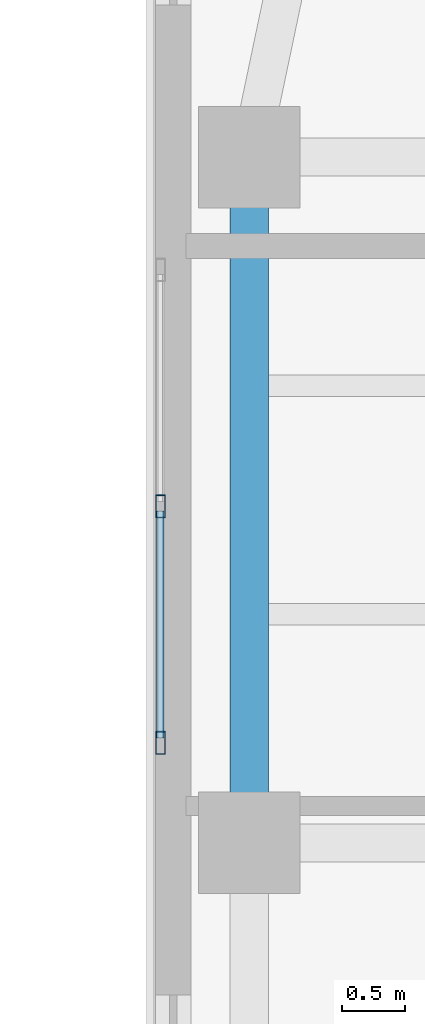
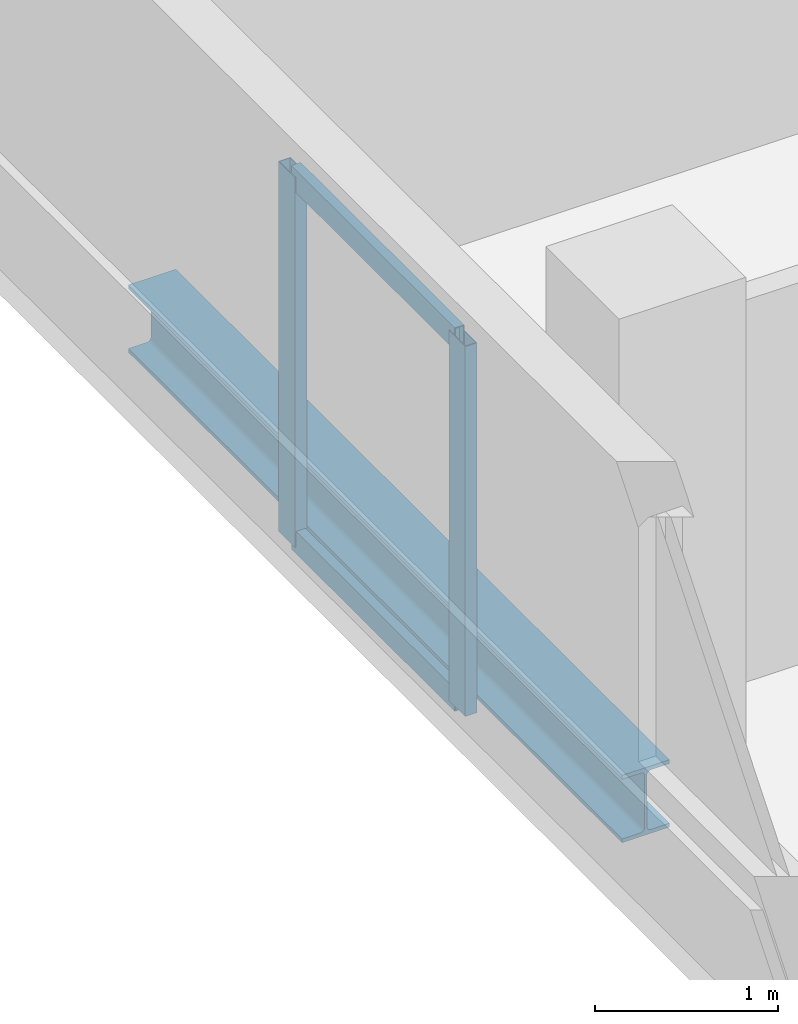
# One storey, part 4 of 11: 4 members, 1 beam, 1 element without a shape of its own.
"""IFC4 building model written with IfcOpenShell, lengths in metres."""

import ifcopenshell
import ifcopenshell.guid

model = None  # the IFC model being written
_history = None  # IfcOwnerHistory: only IFC2X3 demands one
_inside = {}  # id of a spatial element -> (the spatial element, [elements in it])
_under = {}  # id of a project, library or spatial element -> (it, [spatial elements below it])
_declared = {}  # id of a project -> (the project, [libraries it declares])
_typed = {}  # id of a type object -> (the type object, [elements of that type])
_made_of = {}  # id of a material, layer set ... -> (it, [elements and type objects made of it])


def new_model(schema):
    """Start an empty IFC model of exactly this schema.

    Asked for "IFC4X3", IfcOpenShell would pick the latest addendum, in which some entities
    have other attributes; the version numbers below select the first issue.
    IFC2X3 requires an IfcOwnerHistory on every rooted entity: one is made here for all.
    """
    global model, _history
    if schema == "IFC4X3":
        model = ifcopenshell.file(schema_version=(4, 3, 0, 0))
    else:
        model = ifcopenshell.file(schema=schema)
    _inside.clear()
    _under.clear()
    _declared.clear()
    _typed.clear()
    _made_of.clear()
    _history = None
    if model.schema == "IFC2X3":
        org = make("IfcOrganization", Name="unknown")
        user = make(
            "IfcPersonAndOrganization",
            ThePerson=make("IfcPerson", FamilyName="unknown"),
            TheOrganization=org,
        )
        app = make(
            "IfcApplication",
            ApplicationDeveloper=org,
            Version="unknown",
            ApplicationFullName="unknown",
            ApplicationIdentifier="unknown",
        )
        _history = make(
            "IfcOwnerHistory",
            OwningUser=user,
            OwningApplication=app,
            ChangeAction="ADDED",
            CreationDate=0,
        )
    return model


def make(cls, **values):
    """One entity of the class cls with the attributes given. An attribute that is None is left unset."""
    return model.create_entity(
        cls, **{name: value for name, value in values.items() if value is not None}
    )


def rooted(cls, **values):
    """An entity with a GlobalId (a new one), such as an element, a storey or a relation."""
    return make(cls, GlobalId=ifcopenshell.guid.new(), OwnerHistory=_history, **values)


def si_unit(unit_type, name, prefix=None):
    """IfcSIUnit, for example si_unit("LENGTHUNIT", "METRE", prefix="MILLI")."""
    return make("IfcSIUnit", UnitType=unit_type, Prefix=prefix, Name=name)


def assignment(units):
    """IfcUnitAssignment: the units of a project."""
    return None if units is None else make("IfcUnitAssignment", Units=units)


def point(xyz):
    """IfcCartesianPoint."""
    return None if xyz is None else make("IfcCartesianPoint", Coordinates=xyz)


def direction(xyz):
    """IfcDirection."""
    return None if xyz is None else make("IfcDirection", DirectionRatios=xyz)


def frame(location, z_axis=None, x_axis=None):
    """IfcAxis2Placement3D, a coordinate frame: its origin and axes. An axis left out is left unset."""
    return make(
        "IfcAxis2Placement3D",
        Location=point(location),
        Axis=direction(z_axis),
        RefDirection=direction(x_axis),
    )


def frame_2d(location, x_axis=None):
    """IfcAxis2Placement2D, a coordinate frame in the plane: its origin and x axis."""
    return make(
        "IfcAxis2Placement2D", Location=point(location), RefDirection=direction(x_axis)
    )


def origin():
    """The frame at (0, 0, 0) with its axes left unset."""
    return frame((0.0, 0.0, 0.0))


def origin_2d():
    """The frame at (0, 0) in the plane with its x axis left unset."""
    return frame_2d((0.0, 0.0))


def place(relative_to, where):
    """IfcLocalPlacement: puts the frame where relative to a parent placement (None: the world)."""
    return make(
        "IfcLocalPlacement", PlacementRelTo=relative_to, RelativePlacement=where
    )


def context(
    kind, dimensions, precision=None, world=None, true_north=None, identifier=None
):
    """IfcGeometricRepresentationContext, for example the 3D "Model" context."""
    return make(
        "IfcGeometricRepresentationContext",
        ContextIdentifier=identifier,
        ContextType=kind,
        CoordinateSpaceDimension=dimensions,
        Precision=precision,
        WorldCoordinateSystem=world,
        TrueNorth=true_north,
    )


def subcontext(parent, identifier, kind, view, scale=None):
    """IfcGeometricRepresentationSubContext, for example "Body" below "Model"."""
    return make(
        "IfcGeometricRepresentationSubContext",
        ContextIdentifier=identifier,
        ContextType=kind,
        ParentContext=parent,
        TargetScale=scale,
        TargetView=view,
    )


def project(units=None, contexts=None):
    """IfcProject with its units and contexts."""
    return rooted(
        "IfcProject",
        Name="project",
        RepresentationContexts=contexts,
        UnitsInContext=assignment(units),
    )


def spatial(cls, under=None, at=None, **own):
    """A site, building, storey or space (cls), placed at a placement, below another one or the project."""
    s = rooted(cls, ObjectPlacement=at, **own)
    if under is not None:
        _under.setdefault(under.id(), (under, []))[1].append(s)
    return s


def profile(cls, at=None, kind="AREA", **sizes):
    """A parametric profile (cls). Its sizes go by their IFC names, for example OverallWidth=200.0."""
    return make(cls, ProfileType=kind, Position=at, **sizes)


def hollow_rectangle(**sizes):
    """IfcRectangleHollowProfileDef."""
    return profile("IfcRectangleHollowProfileDef", **sizes)


def i_section(**sizes):
    """IfcIShapeProfileDef."""
    return profile("IfcIShapeProfileDef", **sizes)


def extrude(swept, where, along, depth):
    """IfcExtrudedAreaSolid: the profile swept, set in the frame where, extruded along a direction by depth."""
    return make(
        "IfcExtrudedAreaSolid",
        SweptArea=swept,
        Position=where,
        ExtrudedDirection=direction(along),
        Depth=depth,
    )


def shape(context_of_items, identifier, shape_type, items):
    """IfcShapeRepresentation: the items that make up one representation, for example the "Body"."""
    return make(
        "IfcShapeRepresentation",
        ContextOfItems=context_of_items,
        RepresentationIdentifier=identifier,
        RepresentationType=shape_type,
        Items=items,
    )


def material(Name=None, Category=None):
    """IfcMaterial."""
    return make("IfcMaterial", Name=Name, Category=Category)


def material_profile(
    of_material, cross_section, Name=None, Category=None, Priority=None
):
    """IfcMaterialProfile: a cross section and its material."""
    return make(
        "IfcMaterialProfile",
        Name=Name,
        Material=of_material,
        Profile=cross_section,
        Priority=Priority,
        Category=Category,
    )


def profile_set(profiles, Name=None, composite=None):
    """IfcMaterialProfileSet."""
    return make(
        "IfcMaterialProfileSet",
        Name=Name,
        MaterialProfiles=profiles,
        CompositeProfile=composite,
    )


def made_of(thing, what):
    """Note that an element or type object is made of a material, layer set ...; save() writes the relation."""
    if what is not None:
        _made_of.setdefault(what.id(), (what, []))[1].append(thing)
    return thing


def type_object(cls, material=None, **own):
    """A type object (cls), such as IfcWallType, which elements share."""
    return made_of(rooted(cls, **own), material)


def element(
    cls,
    number,
    at=None,
    inside=None,
    cuts=None,
    type_object=None,
    material=None,
    context=None,
    identifier="Body",
    shape_type=None,
    held_by="IfcProductDefinitionShape",
    body=None,
    shapes=None,
    **own,
):
    """One element of the class cls, such as IfcWall. Its Tag is "e" and its number.

    at: its placement. inside: the storey or other place that contains it. cuts: it is an
    opening in that element (IfcRelVoidsElement). A single representation is given by context,
    identifier, shape_type and body (its items); several are given by shapes. held_by: the class
    of the entity that holds the representations. save() writes the other relations.
    """
    e = rooted(cls, Tag="e%d" % number, ObjectPlacement=at, **own)
    if body is not None:
        shapes = [shape(context, identifier, shape_type, body)]
    if shapes is not None:
        e.Representation = make(held_by, Representations=shapes)
    if inside is not None:
        _inside.setdefault(inside.id(), (inside, []))[1].append(e)
    if cuts is not None:
        rooted(
            "IfcRelVoidsElement", RelatingBuildingElement=cuts, RelatedOpeningElement=e
        )
    if type_object is not None:
        _typed.setdefault(type_object.id(), (type_object, []))[1].append(e)
    return made_of(e, material)


def aggregate(whole, parts):
    """IfcRelAggregates: a whole, such as a stair, and the parts it consists of."""
    return rooted("IfcRelAggregates", RelatingObject=whole, RelatedObjects=parts)


def save(model, path):
    """Write the relations noted so far, then the file.

    IfcRelAggregates (storeys below a building ...), IfcRelContainedInSpatialStructure (elements
    in a storey), IfcRelDefinesByType, IfcRelAssociatesMaterial and IfcRelDeclares: one each for
    every whole, place, type object, material and project.
    """
    for whole, parts in _under.values():
        aggregate(whole, parts)
    for where, things in _inside.values():
        rooted(
            "IfcRelContainedInSpatialStructure",
            RelatedElements=things,
            RelatingStructure=where,
        )
    for kind, things in _typed.values():
        rooted("IfcRelDefinesByType", RelatedObjects=things, RelatingType=kind)
    for what, things in _made_of.values():
        rooted("IfcRelAssociatesMaterial", RelatedObjects=things, RelatingMaterial=what)
    for by, libraries in _declared.values():
        rooted("IfcRelDeclares", RelatingContext=by, RelatedDefinitions=libraries)
    model.write(path)


model = new_model("IFC4")

# Units and contexts
model_context = context("Model", 3, precision=1e-05, world=origin(), true_north=direction((0.0, 1.0)))
body_context = subcontext(model_context, "Body", "Model", "MODEL_VIEW")
ifc_project = project(units=[si_unit("LENGTHUNIT", "METRE"), si_unit("AREAUNIT", "SQUARE_METRE"), si_unit("VOLUMEUNIT", "CUBIC_METRE"), si_unit("PLANEANGLEUNIT", "RADIAN"), si_unit("MASSUNIT", "GRAM", prefix="KILO")], contexts=[model_context])

# Site, building, storey
site_placement = place(None, origin())
site = spatial("IfcSite", under=ifc_project, at=site_placement, CompositionType="ELEMENT")
building_placement = place(site_placement, origin())
building = spatial("IfcBuilding", under=site, at=building_placement, Name="Kuzgunbayir Cultural Tower", CompositionType="ELEMENT")
storey_placement = place(building_placement, frame((0.0, 0.0, 234.39990234375)))
storey = spatial("IfcBuildingStorey", under=building, at=storey_placement, Name="L69", CompositionType="ELEMENT", Elevation=234.39990234375)

# Beam
ifc_material_1 = material(Name="Steel S355J2", Category="steel")
ifc_material_profile_1 = material_profile(ifc_material_1, i_section(OverallWidth=0.300048828125, OverallDepth=0.449951171875, WebThickness=0.013916015625, FlangeThickness=0.02587890625, FilletRadius=0.027099609375, at=origin_2d()), Name="HEB 450")
ifc_profile_set_1 = profile_set([ifc_material_profile_1], Name="Steel S355J2")
beam_type = type_object("IfcBeamType", Name="BM-EXT-HEB450", PredefinedType="BEAM", material=ifc_profile_set_1)
beam_placement = place(storey_placement, frame((5.39990234375, 23.39990234375, -0.39990234375), z_axis=(0.0, 1.0, 0.0), x_axis=(-1.0, 0.0, 0.0)))
element("IfcBeam", 1, at=beam_placement, inside=storey, type_object=beam_type, Name="L69 Wing A West Girder 3", PredefinedType="BEAM", context=body_context, shape_type="SweptSolid", body=[
    extrude(i_section(OverallWidth=0.300048828125, OverallDepth=0.449951171875, WebThickness=0.013916015625, FlangeThickness=0.02587890625, FilletRadius=0.027099609375, at=origin_2d()), origin(), (0.0, 0.0, 1.0), 5.400146484375),
])

# Curtain wall, members
ifc_material_2 = material(Name="Anodised Aluminium Framing", Category="aluminium")
curtain_wall_type = type_object("IfcCurtainWallType", Name="CW06-OBSERVATORY", PredefinedType="NOTDEFINED", material=ifc_material_2)
curtain_wall_placement = place(storey_placement, origin())
curtain_wall = element("IfcCurtainWall", 2, at=curtain_wall_placement, inside=storey, type_object=curtain_wall_type, Name="L69 Crown Observatory West Curtain Wall", PredefinedType="NOTDEFINED")
ifc_material_profile_2 = material_profile(ifc_material_2, hollow_rectangle(XDim=0.074951171875, YDim=0.179931640625, WallThickness=0.0048828125, at=origin_2d()), Name="RHS 180x75x5")
ifc_profile_set_2 = profile_set([ifc_material_profile_2], Name="Anodised Aluminium Framing")
member_type_1 = type_object("IfcMemberType", Name="MEM-CW-MULLION-180", PredefinedType="MULLION", material=ifc_profile_set_2)
member_1_placement = place(storey_placement, frame((4.699951171875, 24.1875, 0.0), z_axis=(0.0, 0.0, 1.0), x_axis=(-1.0, 0.0, 0.0)))
member_1 = element("IfcMember", 3, at=member_1_placement, type_object=member_type_1, Name="CW06 mullion 1", PredefinedType="MULLION", context=body_context, shape_type="SweptSolid", body=[
    extrude(hollow_rectangle(XDim=0.074951171875, YDim=0.179931640625, WallThickness=0.0048828125, at=origin_2d()), origin(), (0.0, 0.0, 1.0), 2.47021484375),
])
member_2_placement = place(storey_placement, frame((4.699951171875, 26.050048828125, 0.0), z_axis=(0.0, 0.0, 1.0), x_axis=(-1.0, 0.0, 0.0)))
member_2 = element("IfcMember", 4, at=member_2_placement, type_object=member_type_1, Name="CW06 mullion 2", PredefinedType="MULLION", context=body_context, shape_type="SweptSolid", body=[
    extrude(hollow_rectangle(XDim=0.074951171875, YDim=0.179931640625, WallThickness=0.0048828125, at=origin_2d()), origin(), (0.0, 0.0, 1.0), 2.47021484375),
])
ifc_material_profile_3 = material_profile(ifc_material_2, hollow_rectangle(XDim=0.06005859375, YDim=0.14990234375, WallThickness=0.00390625, at=origin_2d()), Name="RHS 150x60x4")
ifc_profile_set_3 = profile_set([ifc_material_profile_3], Name="Anodised Aluminium Framing")
member_type_2 = type_object("IfcMemberType", Name="MEM-CW-TRANSOM-150", PredefinedType="USERDEFINED", material=ifc_profile_set_3)
member_3_placement = place(storey_placement, frame((4.699951171875, 24.22509765625, 0.030029296875), z_axis=(0.0, 1.0, 0.0), x_axis=(-1.0, 0.0, 0.0)))
member_3 = element("IfcMember", 5, at=member_3_placement, type_object=member_type_2, Name="CW06 transom 1.1", ObjectType="TRANSOM", PredefinedType="USERDEFINED", context=body_context, shape_type="SweptSolid", body=[
    extrude(hollow_rectangle(XDim=0.06005859375, YDim=0.14990234375, WallThickness=0.00390625, at=origin_2d()), origin(), (0.0, 0.0, 1.0), 1.787353515625),
])
member_4_placement = place(storey_placement, frame((4.699951171875, 24.22509765625, 2.440185546875), z_axis=(0.0, 1.0, 0.0), x_axis=(-1.0, 0.0, 0.0)))
member_4 = element("IfcMember", 6, at=member_4_placement, type_object=member_type_2, Name="CW06 transom 1.2", ObjectType="TRANSOM", PredefinedType="USERDEFINED", context=body_context, shape_type="SweptSolid", body=[
    extrude(hollow_rectangle(XDim=0.06005859375, YDim=0.14990234375, WallThickness=0.00390625, at=origin_2d()), origin(), (0.0, 0.0, 1.0), 1.787353515625),
])
aggregate(curtain_wall, [member_1, member_2, member_3, member_4])

save(model, "model.ifc")
